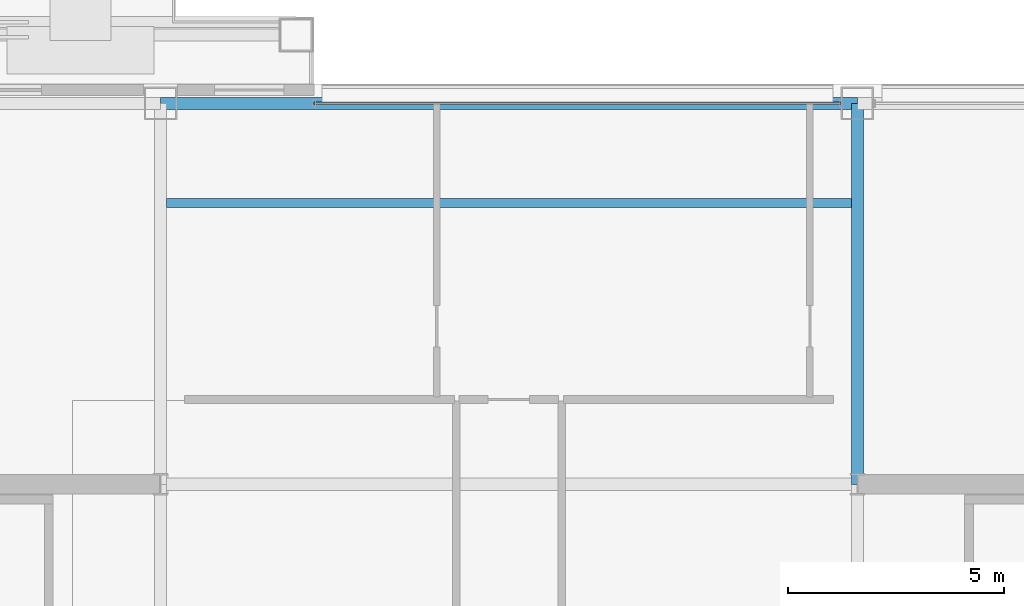
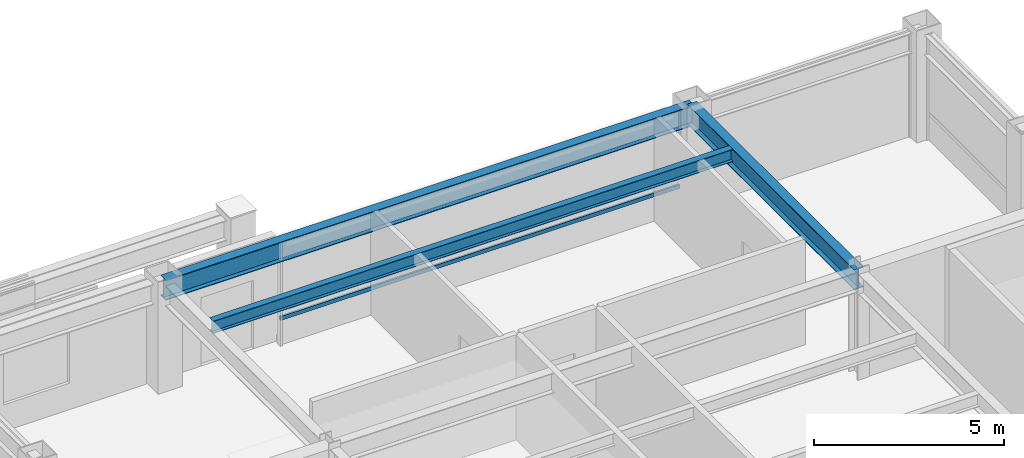
# One storey, part 21 of 31: 3 beams, 1 member, 1 element without a shape of its own.
"""IFC4 building model written with IfcOpenShell, lengths in metres."""

from ifc_helpers import new_model, si_unit, direction, frame, origin, origin_2d, place, context, subcontext, project, spatial, hollow_rectangle, i_section, extrude, material, layer, layer_set, material_profile, profile_set, type_object, element, aggregate, save


model = new_model("IFC4")

# Units and contexts
model_context = context("Model", 3, precision=1e-05, world=origin(), true_north=direction((0.0, 1.0)))
body_context = subcontext(model_context, "Body", "Model", "MODEL_VIEW")
ifc_project = project(units=[si_unit("LENGTHUNIT", "METRE"), si_unit("AREAUNIT", "SQUARE_METRE"), si_unit("VOLUMEUNIT", "CUBIC_METRE"), si_unit("PLANEANGLEUNIT", "RADIAN"), si_unit("MASSUNIT", "GRAM", prefix="KILO")], contexts=[model_context])

# Site, building, storey
site_placement = place(None, origin())
site = spatial("IfcSite", under=ifc_project, at=site_placement, CompositionType="ELEMENT")
building_placement = place(site_placement, origin())
building = spatial("IfcBuilding", under=site, at=building_placement, Name="Brelmoor Portico Tower", CompositionType="ELEMENT")
storey_placement = place(building_placement, frame((0.0, 0.0, 176.699951171875)))
storey = spatial("IfcBuildingStorey", under=building, at=storey_placement, Name="L46", CompositionType="ELEMENT", Elevation=176.699951171875)

# Beams
ifc_material_1 = material(Name="Steel Q355B", Category="steel")
ifc_material_profile_1 = material_profile(ifc_material_1, i_section(OverallWidth=0.199951171875, OverallDepth=0.39990234375, WebThickness=0.008056640625, FlangeThickness=0.012939453125, at=origin_2d()), Name="HN 400x200x8x13")
ifc_profile_set_1 = profile_set([ifc_material_profile_1], Name="Steel Q355B")
beam_type_1 = type_object("IfcBeamType", Name="BM-JS-400", PredefinedType="JOIST", material=ifc_profile_set_1)
beam_1_placement = place(storey_placement, frame((-7.909912109375, 16.25, 3.199951171875), z_axis=(1.0, 0.0, 0.0), x_axis=(0.0, 1.0, 0.0)))
element("IfcBeam", 1, at=beam_1_placement, inside=storey, type_object=beam_type_1, Name="L46 Secondary Composite Joist JS-C04", PredefinedType="JOIST", context=body_context, shape_type="SweptSolid", body=[
    extrude(i_section(OverallWidth=0.199951171875, OverallDepth=0.39990234375, WebThickness=0.008056640625, FlangeThickness=0.012939453125, at=origin_2d()), origin(), (0.0, 0.0, 1.0), 15.81982421875),
])
ifc_material_profile_2 = material_profile(ifc_material_1, i_section(OverallWidth=0.280029296875, OverallDepth=0.64990234375, WebThickness=0.012939453125, FlangeThickness=0.02197265625, at=origin_2d()), Name="HN 650x280x13x22")
ifc_profile_set_2 = profile_set([ifc_material_profile_2], Name="Steel Q355B")
beam_type_2 = type_object("IfcBeamType", Name="BM-PG-650", PredefinedType="BEAM", material=ifc_profile_set_2)
beam_2_placement = place(storey_placement, frame((8.050048828125, 9.75, 3.074951171875), z_axis=(0.0, 1.0, 0.0), x_axis=(-1.0, 0.0, 0.0)))
element("IfcBeam", 2, at=beam_2_placement, inside=storey, type_object=beam_type_2, Name="L46 Primary Floor Girder PG-08", PredefinedType="BEAM", context=body_context, shape_type="SweptSolid", body=[
    extrude(i_section(OverallWidth=0.280029296875, OverallDepth=0.64990234375, WebThickness=0.012939453125, FlangeThickness=0.02197265625, at=origin_2d()), origin(), (0.0, 0.0, 1.0), 8.800048828125),
])
ifc_material_profile_3 = material_profile(ifc_material_1, i_section(OverallWidth=0.280029296875, OverallDepth=0.64990234375, WebThickness=0.012939453125, FlangeThickness=0.02197265625, at=origin_2d()), Name="HN 650x280x13x22")
ifc_profile_set_3 = profile_set([ifc_material_profile_3], Name="Steel Q355B")
beam_type_3 = type_object("IfcBeamType", Name="BM-SP-650", PredefinedType="SPANDREL", material=ifc_profile_set_3)
beam_3_placement = place(storey_placement, frame((-8.050048828125, 18.550048828125, 3.074951171875), z_axis=(1.0, 0.0, 0.0), x_axis=(0.0, 1.0, 0.0)))
element("IfcBeam", 3, at=beam_3_placement, inside=storey, type_object=beam_type_3, Name="L46 Perimeter Spandrel Beam SP-09", PredefinedType="SPANDREL", context=body_context, shape_type="SweptSolid", body=[
    extrude(i_section(OverallWidth=0.280029296875, OverallDepth=0.64990234375, WebThickness=0.012939453125, FlangeThickness=0.02197265625, at=origin_2d()), origin(), (0.0, 0.0, 1.0), 16.10009765625),
])

# Curtain wall, member
ifc_material_2 = material(Name="Anodised Aluminium Alloy 6063-T6", Category="aluminium")
ifc_layer = layer(ifc_material_2, 0.179931640625)
ifc_layer_set = layer_set([ifc_layer], Name="Anodised Aluminium Alloy 6063-T6")
curtain_wall_type = type_object("IfcCurtainWallType", Name="CW-TOWER-Z3", PredefinedType="NOTDEFINED", material=ifc_layer_set)
curtain_wall_placement = place(storey_placement, origin())
curtain_wall = element("IfcCurtainWall", 4, at=curtain_wall_placement, inside=storey, type_object=curtain_wall_type, Name="L46 Curtain Wall CW-L46-2R-1", PredefinedType="NOTDEFINED")
ifc_material_profile_4 = material_profile(ifc_material_2, hollow_rectangle(XDim=0.06005859375, YDim=0.125, WallThickness=0.00341796875, at=origin_2d()), Name="ALU TRANSOM 60x125")
ifc_profile_set_4 = profile_set([ifc_material_profile_4], Name="Anodised Aluminium Alloy 6063-T6")
member_type = type_object("IfcMemberType", Name="MB-CW-TRAN-125", PredefinedType="USERDEFINED", material=ifc_profile_set_4)
member_placement = place(storey_placement, frame((-4.5, 18.550048828125, 0.85009765625), z_axis=(1.0, 0.0, 0.0), x_axis=(0.0, 1.0, 0.0)))
member = element("IfcMember", 5, at=member_placement, type_object=member_type, Name="CW-L46-2R-1 Transom 1-00", ObjectType="TRANSOM", PredefinedType="USERDEFINED", context=body_context, shape_type="SweptSolid", body=[
    extrude(hollow_rectangle(XDim=0.06005859375, YDim=0.125, WallThickness=0.00341796875, at=origin_2d()), origin(), (0.0, 0.0, 1.0), 12.1650390625),
])
aggregate(curtain_wall, [member])

save(model, "model.ifc")
